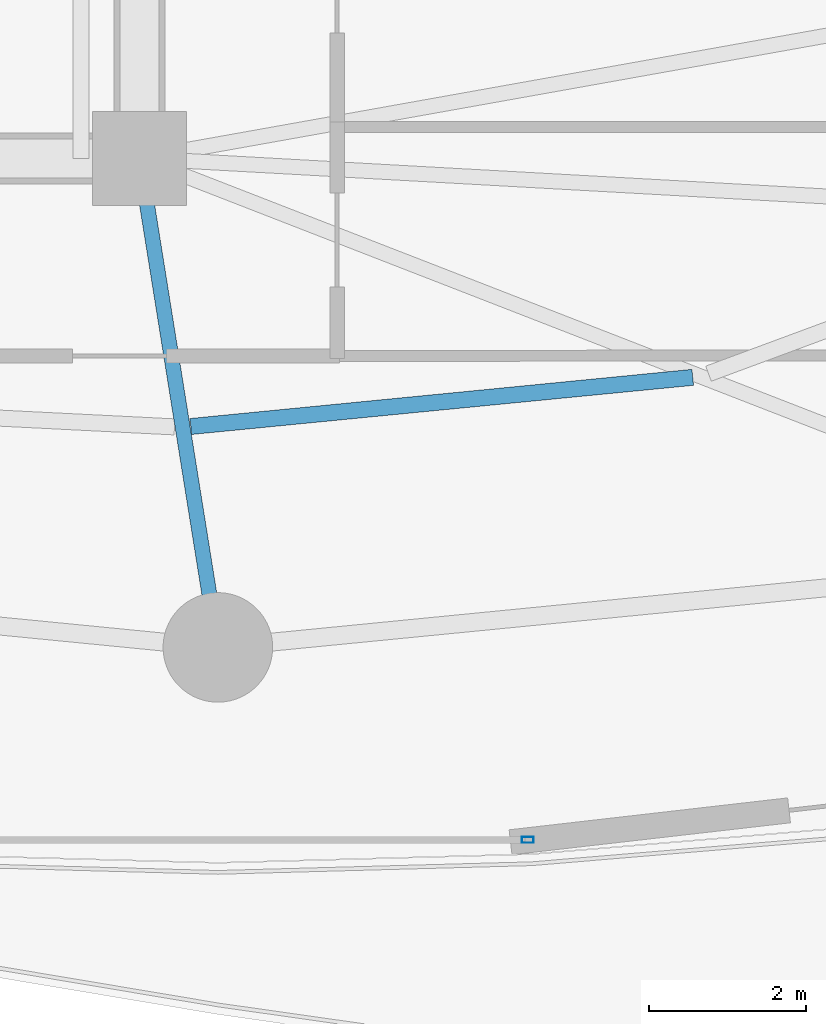
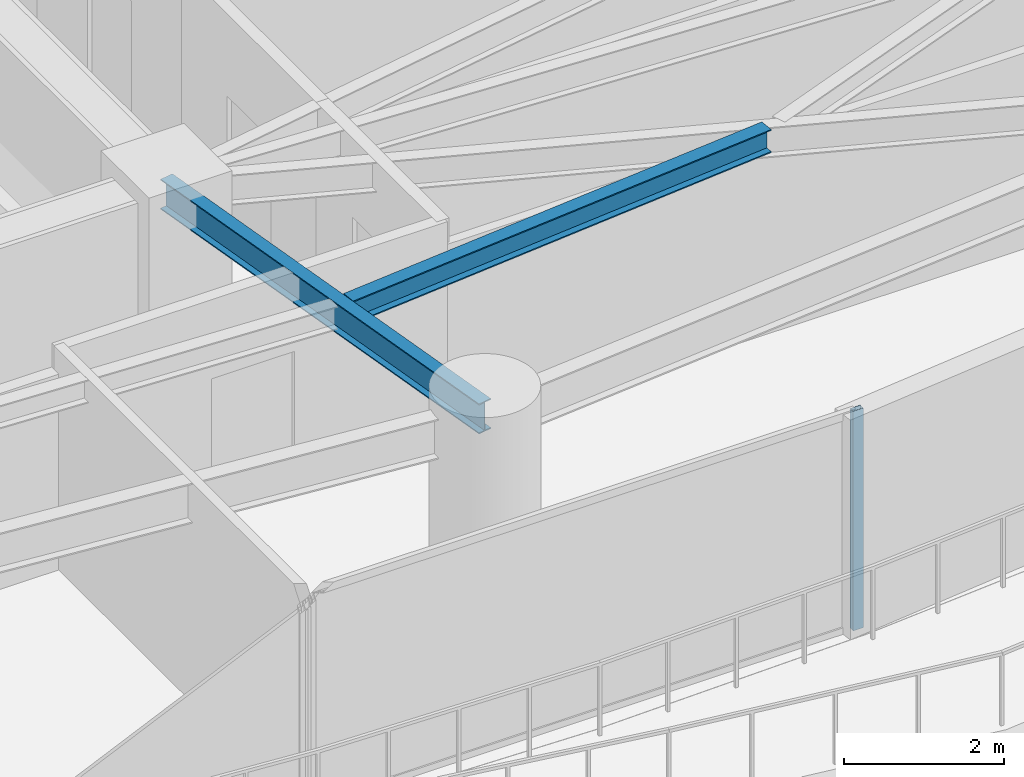
# One storey, part 10 of 33: 2 beams, 1 member, 1 element without a shape of its own.
"""IFC4 building model written with IfcOpenShell, lengths in metres."""

from ifc_helpers import new_model, si_unit, direction, frame, origin, origin_2d, place, context, subcontext, project, spatial, hollow_rectangle, i_section, extrude, material, layer, layer_set, material_profile, profile_set, type_object, element, aggregate, save


model = new_model("IFC4")

# Units and contexts
model_context = context("Model", 3, precision=1e-05, world=origin(), true_north=direction((0.0, 1.0)))
body_context = subcontext(model_context, "Body", "Model", "MODEL_VIEW")
ifc_project = project(units=[si_unit("LENGTHUNIT", "METRE"), si_unit("AREAUNIT", "SQUARE_METRE"), si_unit("VOLUMEUNIT", "CUBIC_METRE"), si_unit("PLANEANGLEUNIT", "RADIAN"), si_unit("MASSUNIT", "GRAM", prefix="KILO")], contexts=[model_context])

# Site, building, storey
site_placement = place(None, origin())
site = spatial("IfcSite", under=ifc_project, at=site_placement, CompositionType="ELEMENT")
building_placement = place(site_placement, origin())
building = spatial("IfcBuilding", under=site, at=building_placement, Name="Kazevale Care Tower and Concert Hall", CompositionType="ELEMENT")
storey_placement = place(building_placement, frame((0.0, 0.0, 31.199951171875)))
storey = spatial("IfcBuildingStorey", under=building, at=storey_placement, Name="L07", CompositionType="ELEMENT", Elevation=31.199951171875)

# Curtain wall, member
ifc_material_1 = material(Name="Aluminium 6063-T6 and Low-E Glass", Category="aluminium")
ifc_layer = layer(ifc_material_1, 0.179931640625)
ifc_layer_set = layer_set([ifc_layer], Name="Aluminium 6063-T6 and Low-E Glass")
curtain_wall_type = type_object("IfcCurtainWallType", Name="Sheltered Concave Balcony Curtain Wall CW-5", PredefinedType="NOTDEFINED", material=ifc_layer_set)
curtain_wall_placement = place(storey_placement, origin())
curtain_wall = element("IfcCurtainWall", 1, at=curtain_wall_placement, inside=storey, type_object=curtain_wall_type, Name="cw:L07:f06", PredefinedType="NOTDEFINED")
ifc_material_2 = material(Name="Aluminium 6063-T6", Category="aluminium")
ifc_material_profile_1 = material_profile(ifc_material_2, hollow_rectangle(XDim=0.074951171875, YDim=0.14990234375, WallThickness=0.00390625, at=origin_2d()), Name="ALU75x150x4")
ifc_profile_set_1 = profile_set([ifc_material_profile_1], Name="Aluminium 6063-T6")
member_type = type_object("IfcMemberType", Name="CW-5 Mullion ALU75x150x4", PredefinedType="MULLION", material=ifc_profile_set_1)
member_placement = place(storey_placement, frame((48.96044921875, 14.889892578125, 0.0), z_axis=(0.0, 0.0, 1.0), x_axis=(0.0, -1.0, 0.0)))
member = element("IfcMember", 2, at=member_placement, type_object=member_type, Name="CW-5 mullion 1", PredefinedType="MULLION", context=body_context, shape_type="SweptSolid", body=[
    extrude(hollow_rectangle(XDim=0.074951171875, YDim=0.14990234375, WallThickness=0.00390625, at=origin_2d()), origin(), (0.0, 0.0, 1.0), 3.360107421875),
])
aggregate(curtain_wall, [member])

# Beams
ifc_material_3 = material(Name="Steel ASTM A572 Gr 50", Category="steel")
ifc_material_profile_2 = material_profile(ifc_material_3, i_section(OverallWidth=0.19091796875, OverallDepth=0.4599609375, WebThickness=0.010009765625, FlangeThickness=0.01611328125, at=origin_2d()), Name="W460x82")
ifc_profile_set_2 = profile_set([ifc_material_profile_2], Name="Steel ASTM A572 Gr 50")
beam_type_1 = type_object("IfcBeamType", Name="Radial Floor Beam W460x82", PredefinedType="BEAM", material=ifc_profile_set_2)
beam_1_placement = place(storey_placement, frame((44.0, 23.60009765625, 3.130126953125), z_axis=(0.157990501107, -0.987440631917, 0.0), x_axis=(0.987440631917, 0.157990501107, 0.0)))
element("IfcBeam", 3, at=beam_1_placement, inside=storey, type_object=beam_type_1, Name="beam:L07:rad:13", PredefinedType="BEAM", context=body_context, shape_type="SweptSolid", body=[
    extrude(i_section(OverallWidth=0.19091796875, OverallDepth=0.4599609375, WebThickness=0.010009765625, FlangeThickness=0.01611328125, at=origin_2d()), origin(), (0.0, 0.0, 1.0), 6.32958984375),
])
ifc_material_profile_3 = material_profile(ifc_material_3, i_section(OverallWidth=0.205078125, OverallDepth=0.35400390625, WebThickness=0.009521484375, FlangeThickness=0.016845703125, at=origin_2d()), Name="W360x79")
ifc_profile_set_3 = profile_set([ifc_material_profile_3], Name="Steel ASTM A572 Gr 50")
beam_type_2 = type_object("IfcBeamType", Name="Secondary Floor Joist W360x79", PredefinedType="JOIST", material=ifc_profile_set_3)
beam_2_placement = place(storey_placement, frame((44.654052734375, 20.173095703125, 3.18310546875), z_axis=(0.995242075791, 0.097433108212, 0.0), x_axis=(-0.097433108212, 0.995242075791, 0.0)))
element("IfcBeam", 4, at=beam_2_placement, inside=storey, type_object=beam_type_2, Name="beam:L07:joist:13", PredefinedType="JOIST", context=body_context, shape_type="SweptSolid", body=[
    extrude(i_section(OverallWidth=0.205078125, OverallDepth=0.35400390625, WebThickness=0.009521484375, FlangeThickness=0.016845703125, at=origin_2d()), origin(), (0.0, 0.0, 1.0), 6.44482421875),
])

save(model, "model.ifc")
